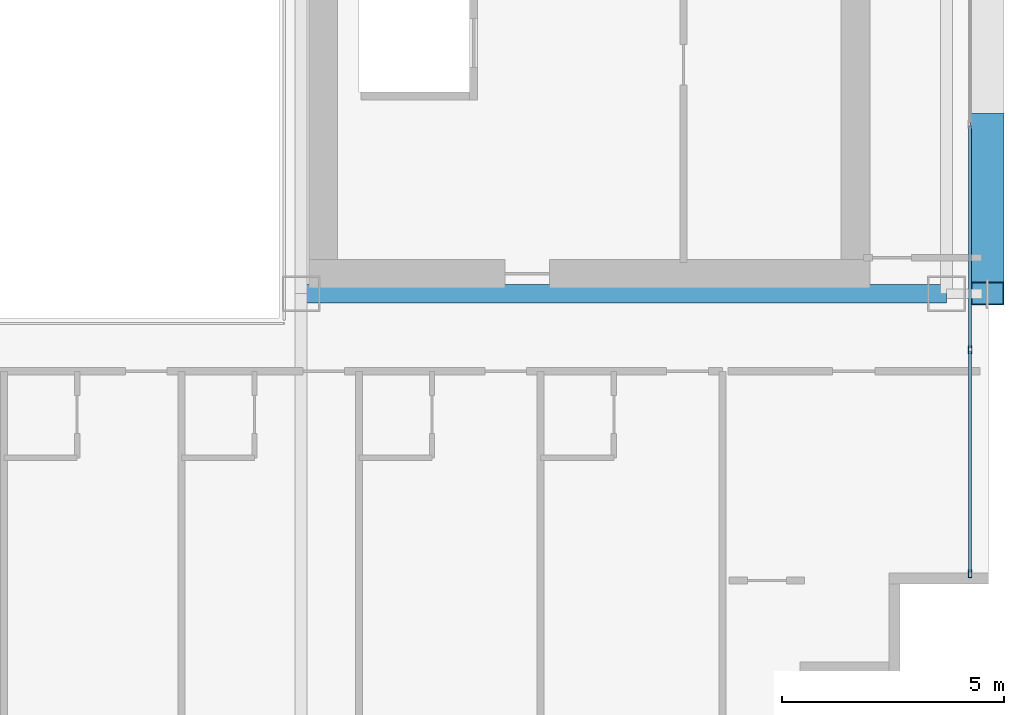
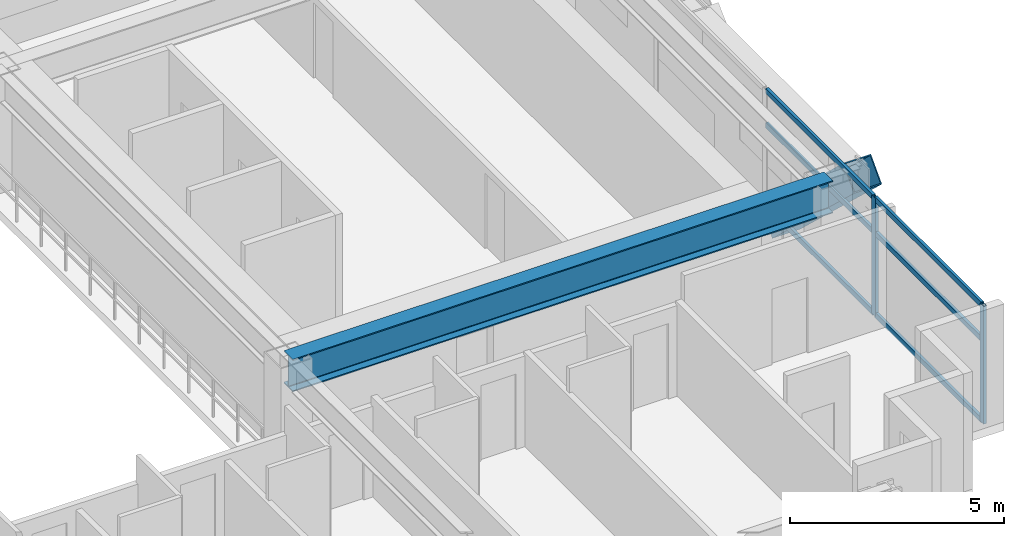
# One storey, part 11 of 36: 9 members, 1 beam, 1 element without a shape of its own.
"""IFC4 building model written with IfcOpenShell, lengths in metres."""

from ifc_helpers import new_model, si_unit, direction, frame, origin, origin_2d, place, context, subcontext, project, spatial, hollow_rectangle, i_section, extrude, source, transform, mapped, material, layer, layer_set, material_profile, profile_set, type_object, element, aggregate, save


model = new_model("IFC4")

# Units and contexts
model_context = context("Model", 3, precision=1e-05, world=origin(), true_north=direction((0.0, 1.0)))
body_context = subcontext(model_context, "Body", "Model", "MODEL_VIEW")
ifc_project = project(units=[si_unit("LENGTHUNIT", "METRE"), si_unit("AREAUNIT", "SQUARE_METRE"), si_unit("VOLUMEUNIT", "CUBIC_METRE"), si_unit("PLANEANGLEUNIT", "RADIAN"), si_unit("MASSUNIT", "GRAM", prefix="KILO")], contexts=[model_context])

# Site, building, storey
site_placement = place(None, origin())
site = spatial("IfcSite", under=ifc_project, at=site_placement, CompositionType="ELEMENT")
building_placement = place(site_placement, origin())
building = spatial("IfcBuilding", under=site, at=building_placement, Name="Ocotamira Hotel", CompositionType="ELEMENT")
storey_placement = place(building_placement, frame((0.0, 0.0, 129.60009765625)))
storey = spatial("IfcBuildingStorey", under=building, at=storey_placement, Name="L32", CompositionType="ELEMENT", Elevation=129.60009765625)

# Beam
ifc_material_1 = material(Name="Steel ASTM A992 Grade 50", Category="steel")
ifc_material_profile_1 = material_profile(ifc_material_1, i_section(OverallWidth=0.41796875, OverallDepth=0.927001953125, WebThickness=0.019287109375, FlangeThickness=0.031982421875, FilletRadius=0.02392578125, at=origin_2d()), Name="W36X231")
ifc_profile_set_1 = profile_set([ifc_material_profile_1], Name="Steel ASTM A992 Grade 50")
beam_type = type_object("IfcBeamType", Name="BM-GIRD-W36X231", PredefinedType="BEAM", material=ifc_profile_set_1)
shared_shape_1 = source(origin(), body_context, "Body", "SweptSolid", [
    extrude(i_section(OverallWidth=0.41796875, OverallDepth=0.927001953125, WebThickness=0.019287109375, FlangeThickness=0.031982421875, FilletRadius=0.02392578125, at=origin_2d()), origin(), (0.0, 0.0, 1.0), 14.550048828125),
])
beam_placement = place(storey_placement, frame((40.5, 14.550048828125, 2.896484375), z_axis=(1.0, 0.0, 0.0), x_axis=(0.0, 1.0, 0.0)))
element("IfcBeam", 1, at=beam_placement, inside=storey, type_object=beam_type, Name="L32 Girder Y14.55 X40.5-55.05", PredefinedType="BEAM", context=body_context, shape_type="MappedRepresentation", body=[
    mapped(shared_shape_1, transform((0.0, 0.0, 0.0), scale=1.0)),
])

# Member
ifc_material_2 = material(Name="Pale-metal coated steel ASTM A913 Grade 65", Category="steel")
ifc_material_profile_2 = material_profile(ifc_material_2, hollow_rectangle(XDim=0.75, YDim=0.75, WallThickness=0.028076171875, at=origin_2d()), Name="BOX750X750X28")
ifc_profile_set_2 = profile_set([ifc_material_profile_2], Name="Pale-metal coated steel ASTM A913 Grade 65")
member_type_1 = type_object("IfcMemberType", Name="MEM-EXO-BOX750", PredefinedType="BRACE", material=ifc_profile_set_2)
shared_shape_2 = source(origin(), body_context, "Body", "SweptSolid", [
    extrude(hollow_rectangle(XDim=0.75, YDim=0.75, WallThickness=0.028076171875, at=origin_2d()), origin(), (0.0, 0.0, 1.0), 5.24658203125),
])
member_1_placement = place(storey_placement, frame((55.969970703125, 18.36669921875, -0.489990234375), z_axis=(0.0, -0.72746596067, 0.686143772154), x_axis=(1.0, 0.0, 0.0)))
element("IfcMember", 2, at=member_1_placement, inside=storey, type_object=member_type_1, Name="L32 Exoskeleton Diagrid E0.1", PredefinedType="BRACE", context=body_context, shape_type="MappedRepresentation", body=[
    mapped(shared_shape_2, transform((0.0, 0.0, 0.0), scale=1.0)),
])

# Curtain wall, members
ifc_material_3 = material(Name="Anodised pale-metal aluminium and solar glass", Category="aluminium")
ifc_layer = layer(ifc_material_3, 0.179931640625)
ifc_layer_set = layer_set([ifc_layer], Name="Anodised pale-metal aluminium and solar glass")
curtain_wall_type = type_object("IfcCurtainWallType", Name="CW-SYS3-Z2", PredefinedType="NOTDEFINED", material=ifc_layer_set)
curtain_wall_placement = place(storey_placement, origin())
curtain_wall = element("IfcCurtainWall", 3, at=curtain_wall_placement, inside=storey, type_object=curtain_wall_type, Name="L32 Curtain Wall CW-3 CW-L32-E", PredefinedType="NOTDEFINED")
ifc_material_4 = material(Name="Anodised pale-metal aluminium 6063-T6", Category="aluminium")
ifc_material_profile_3 = material_profile(ifc_material_4, hollow_rectangle(XDim=0.074951171875, YDim=0.14990234375, WallThickness=0.006103515625, at=origin_2d()), Name="HSS150X75X6")
ifc_profile_set_3 = profile_set([ifc_material_profile_3], Name="Anodised pale-metal aluminium 6063-T6")
member_type_2 = type_object("IfcMemberType", Name="CWT-150X75", PredefinedType="USERDEFINED", material=ifc_profile_set_3)
shared_shape_3 = source(origin(), body_context, "Body", "SweptSolid", [
    extrude(hollow_rectangle(XDim=0.074951171875, YDim=0.14990234375, WallThickness=0.006103515625, at=origin_2d()), origin(), (0.0, 0.0, 1.0), 4.965576171875),
])
member_2_placement = place(storey_placement, frame((55.580078125, 8.280029296875, 0.037353515625), z_axis=(0.0, 1.0, 0.0), x_axis=(-1.0, 0.0, 0.0)))
member_2 = element("IfcMember", 4, at=member_2_placement, type_object=member_type_2, Name="CW-3 transom 1.1", ObjectType="TRANSOM", PredefinedType="USERDEFINED", context=body_context, shape_type="MappedRepresentation", body=[
    mapped(shared_shape_3, transform((0.0, 0.0, 0.0), scale=1.0)),
])
member_3_placement = place(storey_placement, frame((55.580078125, 8.280029296875, 2.349853515625), z_axis=(0.0, 1.0, 0.0), x_axis=(-1.0, 0.0, 0.0)))
member_3 = element("IfcMember", 5, at=member_3_placement, type_object=member_type_2, Name="CW-3 transom 1.2", ObjectType="TRANSOM", PredefinedType="USERDEFINED", context=body_context, shape_type="MappedRepresentation", body=[
    mapped(shared_shape_3, transform((0.0, 0.0, 0.0), scale=1.0)),
])
member_4_placement = place(storey_placement, frame((55.580078125, 8.280029296875, 3.322509765625), z_axis=(0.0, 1.0, 0.0), x_axis=(-1.0, 0.0, 0.0)))
member_4 = element("IfcMember", 6, at=member_4_placement, type_object=member_type_2, Name="CW-3 transom 1.3", ObjectType="TRANSOM", PredefinedType="USERDEFINED", context=body_context, shape_type="MappedRepresentation", body=[
    mapped(shared_shape_3, transform((0.0, 0.0, 0.0), scale=1.0)),
])
shared_shape_4 = source(origin(), body_context, "Body", "SweptSolid", [
    extrude(hollow_rectangle(XDim=0.074951171875, YDim=0.14990234375, WallThickness=0.006103515625, at=origin_2d()), origin(), (0.0, 0.0, 1.0), 5.005859375),
])
member_5_placement = place(storey_placement, frame((55.580078125, 13.32568359375, 0.037353515625), z_axis=(0.0, 1.0, 0.0), x_axis=(-1.0, 0.0, 0.0)))
member_5 = element("IfcMember", 7, at=member_5_placement, type_object=member_type_2, Name="CW-3 transom 2.1", ObjectType="TRANSOM", PredefinedType="USERDEFINED", context=body_context, shape_type="MappedRepresentation", body=[
    mapped(shared_shape_4, transform((0.0, 0.0, 0.0), scale=1.0)),
])
member_6_placement = place(storey_placement, frame((55.580078125, 13.32568359375, 2.349853515625), z_axis=(0.0, 1.0, 0.0), x_axis=(-1.0, 0.0, 0.0)))
member_6 = element("IfcMember", 8, at=member_6_placement, type_object=member_type_2, Name="CW-3 transom 2.2", ObjectType="TRANSOM", PredefinedType="USERDEFINED", context=body_context, shape_type="MappedRepresentation", body=[
    mapped(shared_shape_4, transform((0.0, 0.0, 0.0), scale=1.0)),
])
member_7_placement = place(storey_placement, frame((55.580078125, 13.32568359375, 3.322509765625), z_axis=(0.0, 1.0, 0.0), x_axis=(-1.0, 0.0, 0.0)))
member_7 = element("IfcMember", 9, at=member_7_placement, type_object=member_type_2, Name="CW-3 transom 2.3", ObjectType="TRANSOM", PredefinedType="USERDEFINED", context=body_context, shape_type="MappedRepresentation", body=[
    mapped(shared_shape_4, transform((0.0, 0.0, 0.0), scale=1.0)),
])
ifc_material_profile_4 = material_profile(ifc_material_4, hollow_rectangle(XDim=0.080078125, YDim=0.179931640625, WallThickness=0.006103515625, at=origin_2d()), Name="HSS180X80X6")
ifc_profile_set_4 = profile_set([ifc_material_profile_4], Name="Anodised pale-metal aluminium 6063-T6")
member_type_3 = type_object("IfcMemberType", Name="CWM-180X75", PredefinedType="MULLION", material=ifc_profile_set_4)
shared_shape_5 = source(origin(), body_context, "Body", "SweptSolid", [
    extrude(hollow_rectangle(XDim=0.080078125, YDim=0.179931640625, WallThickness=0.006103515625, at=origin_2d()), origin(), (0.0, 0.0, 1.0), 3.35986328125),
])
member_8_placement = place(storey_placement, frame((55.580078125, 8.239990234375, 0.0), z_axis=(0.0, 0.0, 1.0), x_axis=(-1.0, 0.0, 0.0)))
member_8 = element("IfcMember", 10, at=member_8_placement, type_object=member_type_3, Name="CW-3 mullion 1", PredefinedType="MULLION", context=body_context, shape_type="MappedRepresentation", body=[
    mapped(shared_shape_5, transform((0.0, 0.0, 0.0), scale=1.0)),
])
member_9_placement = place(storey_placement, frame((55.580078125, 13.28564453125, 0.0), z_axis=(0.0, 0.0, 1.0), x_axis=(-1.0, 0.0, 0.0)))
member_9 = element("IfcMember", 11, at=member_9_placement, type_object=member_type_3, Name="CW-3 mullion 2", PredefinedType="MULLION", context=body_context, shape_type="MappedRepresentation", body=[
    mapped(shared_shape_5, transform((0.0, 0.0, 0.0), scale=1.0)),
])
aggregate(curtain_wall, [member_8, member_9, member_2, member_3, member_4, member_5, member_6, member_7])

save(model, "model.ifc")
